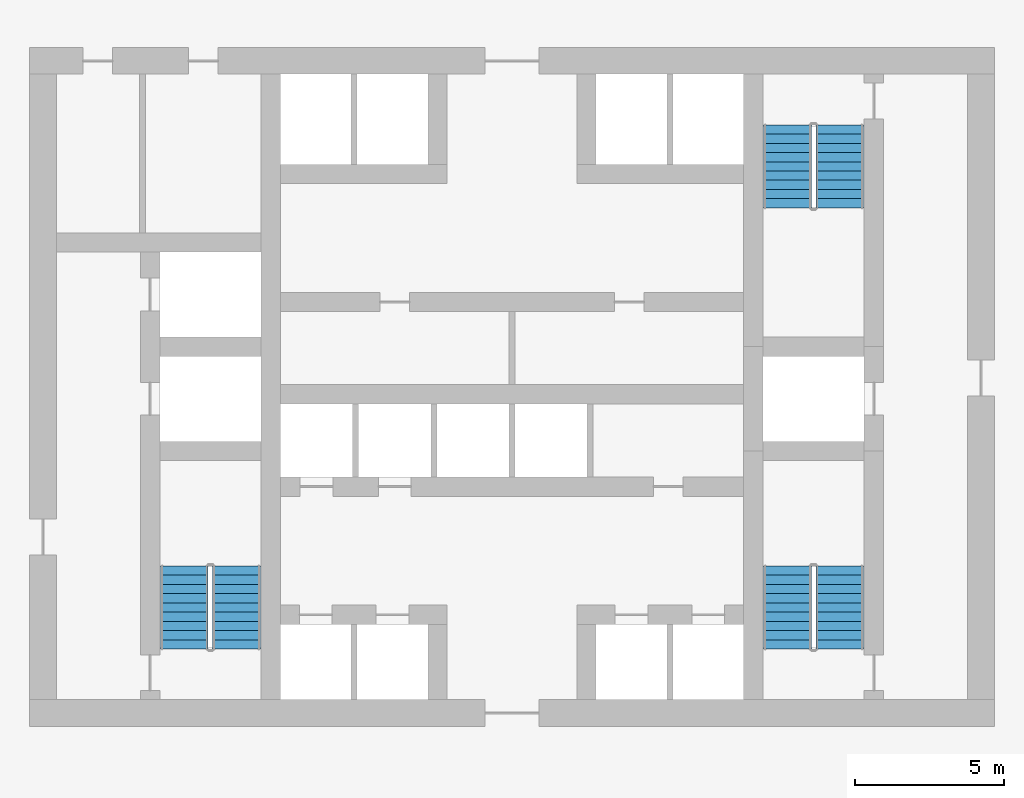
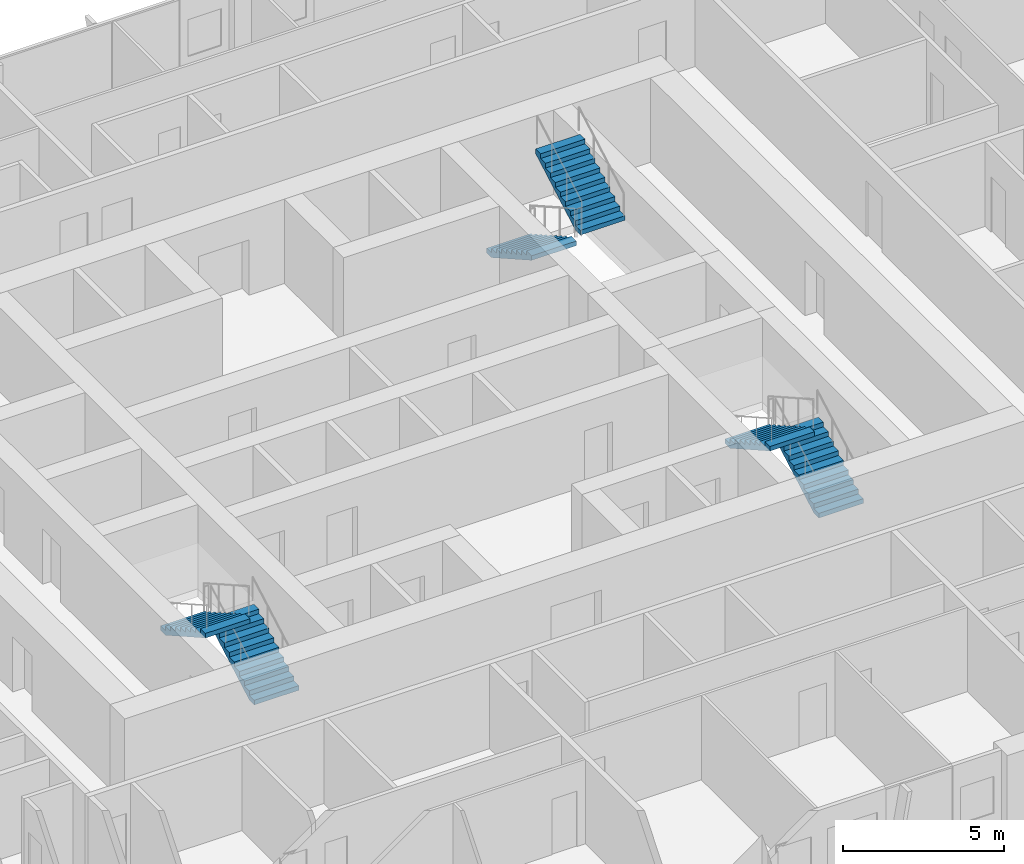
# One storey, part 16 of 22: 6 stair flights, 3 elements without a shape of their own.
"""IFC4 building model written with IfcOpenShell, lengths in metres."""

from ifc_helpers import new_model, si_unit, direction, frame, origin, place, context, subcontext, project, spatial, polyline, outline, extrude, material, type_object, element, aggregate, save


model = new_model("IFC4")

# Units and contexts
model_context = context("Model", 3, precision=1e-05, world=origin(), true_north=direction((0.0, 1.0)))
body_context = subcontext(model_context, "Body", "Model", "MODEL_VIEW")
ifc_project = project(units=[si_unit("LENGTHUNIT", "METRE"), si_unit("AREAUNIT", "SQUARE_METRE"), si_unit("VOLUMEUNIT", "CUBIC_METRE"), si_unit("PLANEANGLEUNIT", "RADIAN"), si_unit("MASSUNIT", "GRAM", prefix="KILO")], contexts=[model_context])

# Site, building, storey
site_placement = place(None, origin())
site = spatial("IfcSite", under=ifc_project, at=site_placement, CompositionType="ELEMENT")
building_placement = place(site_placement, origin())
building = spatial("IfcBuilding", under=site, at=building_placement, Name="Madar Terraces", CompositionType="ELEMENT")
storey_placement = place(building_placement, frame((0.0, 0.0, 62.800048828125)))
storey = spatial("IfcBuildingStorey", under=building, at=storey_placement, Name="L15", CompositionType="ELEMENT", Elevation=62.800048828125)

# Stair, stair flights
ifc_material_1 = material(Name="Concrete C50/60", Category="concrete")
stair_type_1 = type_object("IfcStairType", Name="Stair ST1 protected exit", PredefinedType="HALF_TURN_STAIR", material=ifc_material_1)
stair_1_placement = place(storey_placement, origin())
stair_1 = element("IfcStair", 1, at=stair_1_placement, inside=storey, type_object=stair_type_1, Name="L15 Protected Exit Stair ST1", PredefinedType="HALF_TURN_STAIR")
ifc_material_2 = material(Name="Concrete C50/60", Category="concrete")
stair_flight_type_1 = type_object("IfcStairFlightType", Name="Stair flight ST1-F4, 1600 wide, 10 risers", PredefinedType="STRAIGHT", material=ifc_material_2)
stair_flight_1_placement = place(storey_placement, frame((21.949951171875, 17.60009765625, 0.0), z_axis=(0.0, 0.0, 1.0), x_axis=(0.0, 1.0, 0.0)))
stair_flight_1 = element("IfcStairFlight", 2, at=stair_flight_1_placement, type_object=stair_flight_type_1, Name="ST1 flight 1", NumberOfRisers=10, NumberOfTreads=9, PredefinedType="STRAIGHT", RiserHeight=0.175, TreadLength=0.31, context=body_context, shape_type="SweptSolid", body=[
    extrude(outline(polyline([(0.0, 0.0), (0.0, 0.175048828125), (0.31005859375, 0.175048828125), (0.31005859375, 0.35009765625), (0.6201171875, 0.35009765625), (0.6201171875, 0.52490234375), (0.929931640625, 0.52490234375), (0.929931640625, 0.699951171875), (1.239990234375, 0.699951171875), (1.239990234375, 0.875), (1.550048828125, 0.875), (1.550048828125, 1.050048828125), (1.860107421875, 1.050048828125), (1.860107421875, 1.22509765625), (2.169921875, 1.22509765625), (2.169921875, 1.39990234375), (2.47998046875, 1.39990234375), (2.47998046875, 1.574951171875), (2.7900390625, 1.574951171875), (2.7900390625, 1.75), (2.7900390625, 1.40283203125), (0.304931640625, 0.0), (0.0, 0.0)])), frame((0.0, 0.800048828125, 0.0), z_axis=(0.0, -1.0, 0.0), x_axis=(1.0, 0.0, 0.0)), (0.0, 0.0, 1.0), 1.60009765625),
])
stair_flight_2_placement = place(storey_placement, frame((20.199951171875, 20.389892578125, 1.75), z_axis=(0.0, 0.0, 1.0), x_axis=(0.0, -1.0, 0.0)))
stair_flight_2 = element("IfcStairFlight", 3, at=stair_flight_2_placement, type_object=stair_flight_type_1, Name="ST1 flight 2", NumberOfRisers=10, NumberOfTreads=9, PredefinedType="STRAIGHT", RiserHeight=0.175, TreadLength=0.31, context=body_context, shape_type="SweptSolid", body=[
    extrude(outline(polyline([(0.0, 0.0), (0.0, 0.175048828125), (0.31005859375, 0.175048828125), (0.31005859375, 0.35009765625), (0.6201171875, 0.35009765625), (0.6201171875, 0.52490234375), (0.929931640625, 0.52490234375), (0.929931640625, 0.699951171875), (1.239990234375, 0.699951171875), (1.239990234375, 0.875), (1.550048828125, 0.875), (1.550048828125, 1.050048828125), (1.860107421875, 1.050048828125), (1.860107421875, 1.22509765625), (2.169921875, 1.22509765625), (2.169921875, 1.39990234375), (2.47998046875, 1.39990234375), (2.47998046875, 1.574951171875), (2.7900390625, 1.574951171875), (2.7900390625, 1.75), (2.7900390625, 1.40283203125), (0.304931640625, 0.0), (0.0, 0.0)])), frame((0.0, 0.800048828125, 0.0), z_axis=(0.0, -1.0, 0.0), x_axis=(1.0, 0.0, 0.0)), (0.0, 0.0, 1.0), 1.60009765625),
])
aggregate(stair_1, [stair_flight_1, stair_flight_2])

ifc_material_3 = material(Name="Concrete C50/60", Category="concrete")
stair_type_2 = type_object("IfcStairType", Name="Stair ST2 protected exit", PredefinedType="HALF_TURN_STAIR", material=ifc_material_3)
stair_2_placement = place(storey_placement, origin())
stair_2 = element("IfcStair", 4, at=stair_2_placement, inside=storey, type_object=stair_type_2, Name="L15 Protected Exit Stair ST2", PredefinedType="HALF_TURN_STAIR")
ifc_material_4 = material(Name="Concrete C50/60", Category="concrete")
stair_flight_type_2 = type_object("IfcStairFlightType", Name="Stair flight ST2-F4, 1600 wide, 10 risers", PredefinedType="STRAIGHT", material=ifc_material_4)
stair_flight_3_placement = place(storey_placement, frame((40.449951171875, 35.199951171875, 0.0), z_axis=(0.0, 0.0, 1.0), x_axis=(0.0, -1.0, 0.0)))
stair_flight_3 = element("IfcStairFlight", 5, at=stair_flight_3_placement, type_object=stair_flight_type_2, Name="ST2 flight 1", NumberOfRisers=10, NumberOfTreads=9, PredefinedType="STRAIGHT", RiserHeight=0.175, TreadLength=0.31, context=body_context, shape_type="SweptSolid", body=[
    extrude(outline(polyline([(0.0, 0.0), (0.0, 0.175048828125), (0.31005859375, 0.175048828125), (0.31005859375, 0.35009765625), (0.6201171875, 0.35009765625), (0.6201171875, 0.52490234375), (0.929931640625, 0.52490234375), (0.929931640625, 0.699951171875), (1.239990234375, 0.699951171875), (1.239990234375, 0.875), (1.550048828125, 0.875), (1.550048828125, 1.050048828125), (1.860107421875, 1.050048828125), (1.860107421875, 1.22509765625), (2.169921875, 1.22509765625), (2.169921875, 1.39990234375), (2.47998046875, 1.39990234375), (2.47998046875, 1.574951171875), (2.7900390625, 1.574951171875), (2.7900390625, 1.75), (2.7900390625, 1.40283203125), (0.304931640625, 0.0), (0.0, 0.0)])), frame((0.0, 0.800048828125, 0.0), z_axis=(0.0, -1.0, 0.0), x_axis=(1.0, 0.0, 0.0)), (0.0, 0.0, 1.0), 1.60009765625),
])
stair_flight_4_placement = place(storey_placement, frame((42.199951171875, 32.409912109375, 1.75), z_axis=(0.0, 0.0, 1.0), x_axis=(0.0, 1.0, 0.0)))
stair_flight_4 = element("IfcStairFlight", 6, at=stair_flight_4_placement, type_object=stair_flight_type_2, Name="ST2 flight 2", NumberOfRisers=10, NumberOfTreads=9, PredefinedType="STRAIGHT", RiserHeight=0.175, TreadLength=0.31, context=body_context, shape_type="SweptSolid", body=[
    extrude(outline(polyline([(0.0, 0.0), (0.0, 0.175048828125), (0.31005859375, 0.175048828125), (0.31005859375, 0.35009765625), (0.6201171875, 0.35009765625), (0.6201171875, 0.52490234375), (0.929931640625, 0.52490234375), (0.929931640625, 0.699951171875), (1.239990234375, 0.699951171875), (1.239990234375, 0.875), (1.550048828125, 0.875), (1.550048828125, 1.050048828125), (1.860107421875, 1.050048828125), (1.860107421875, 1.22509765625), (2.169921875, 1.22509765625), (2.169921875, 1.39990234375), (2.47998046875, 1.39990234375), (2.47998046875, 1.574951171875), (2.7900390625, 1.574951171875), (2.7900390625, 1.75), (2.7900390625, 1.40283203125), (0.304931640625, 0.0), (0.0, 0.0)])), frame((0.0, 0.800048828125, 0.0), z_axis=(0.0, -1.0, 0.0), x_axis=(1.0, 0.0, 0.0)), (0.0, 0.0, 1.0), 1.60009765625),
])
aggregate(stair_2, [stair_flight_3, stair_flight_4])

ifc_material_5 = material(Name="Concrete C50/60", Category="concrete")
stair_type_3 = type_object("IfcStairType", Name="Stair ST3 protected exit", PredefinedType="HALF_TURN_STAIR", material=ifc_material_5)
stair_3_placement = place(storey_placement, origin())
stair_3 = element("IfcStair", 7, at=stair_3_placement, inside=storey, type_object=stair_type_3, Name="L15 Protected Exit Stair ST3", PredefinedType="HALF_TURN_STAIR")
ifc_material_6 = material(Name="Concrete C50/60", Category="concrete")
stair_flight_type_3 = type_object("IfcStairFlightType", Name="Stair flight ST3-F4, 1600 wide, 10 risers", PredefinedType="STRAIGHT", material=ifc_material_6)
stair_flight_5_placement = place(storey_placement, frame((42.199951171875, 17.60009765625, 0.0), z_axis=(0.0, 0.0, 1.0), x_axis=(0.0, 1.0, 0.0)))
stair_flight_5 = element("IfcStairFlight", 8, at=stair_flight_5_placement, type_object=stair_flight_type_3, Name="ST3 flight 1", NumberOfRisers=10, NumberOfTreads=9, PredefinedType="STRAIGHT", RiserHeight=0.175, TreadLength=0.31, context=body_context, shape_type="SweptSolid", body=[
    extrude(outline(polyline([(0.0, 0.0), (0.0, 0.175048828125), (0.31005859375, 0.175048828125), (0.31005859375, 0.35009765625), (0.6201171875, 0.35009765625), (0.6201171875, 0.52490234375), (0.929931640625, 0.52490234375), (0.929931640625, 0.699951171875), (1.239990234375, 0.699951171875), (1.239990234375, 0.875), (1.550048828125, 0.875), (1.550048828125, 1.050048828125), (1.860107421875, 1.050048828125), (1.860107421875, 1.22509765625), (2.169921875, 1.22509765625), (2.169921875, 1.39990234375), (2.47998046875, 1.39990234375), (2.47998046875, 1.574951171875), (2.7900390625, 1.574951171875), (2.7900390625, 1.75), (2.7900390625, 1.40283203125), (0.304931640625, 0.0), (0.0, 0.0)])), frame((0.0, 0.800048828125, 0.0), z_axis=(0.0, -1.0, 0.0), x_axis=(1.0, 0.0, 0.0)), (0.0, 0.0, 1.0), 1.60009765625),
])
stair_flight_6_placement = place(storey_placement, frame((40.449951171875, 20.389892578125, 1.75), z_axis=(0.0, 0.0, 1.0), x_axis=(0.0, -1.0, 0.0)))
stair_flight_6 = element("IfcStairFlight", 9, at=stair_flight_6_placement, type_object=stair_flight_type_3, Name="ST3 flight 2", NumberOfRisers=10, NumberOfTreads=9, PredefinedType="STRAIGHT", RiserHeight=0.175, TreadLength=0.31, context=body_context, shape_type="SweptSolid", body=[
    extrude(outline(polyline([(0.0, 0.0), (0.0, 0.175048828125), (0.31005859375, 0.175048828125), (0.31005859375, 0.35009765625), (0.6201171875, 0.35009765625), (0.6201171875, 0.52490234375), (0.929931640625, 0.52490234375), (0.929931640625, 0.699951171875), (1.239990234375, 0.699951171875), (1.239990234375, 0.875), (1.550048828125, 0.875), (1.550048828125, 1.050048828125), (1.860107421875, 1.050048828125), (1.860107421875, 1.22509765625), (2.169921875, 1.22509765625), (2.169921875, 1.39990234375), (2.47998046875, 1.39990234375), (2.47998046875, 1.574951171875), (2.7900390625, 1.574951171875), (2.7900390625, 1.75), (2.7900390625, 1.40283203125), (0.304931640625, 0.0), (0.0, 0.0)])), frame((0.0, 0.800048828125, 0.0), z_axis=(0.0, -1.0, 0.0), x_axis=(1.0, 0.0, 0.0)), (0.0, 0.0, 1.0), 1.60009765625),
])
aggregate(stair_3, [stair_flight_5, stair_flight_6])

save(model, "model.ifc")
